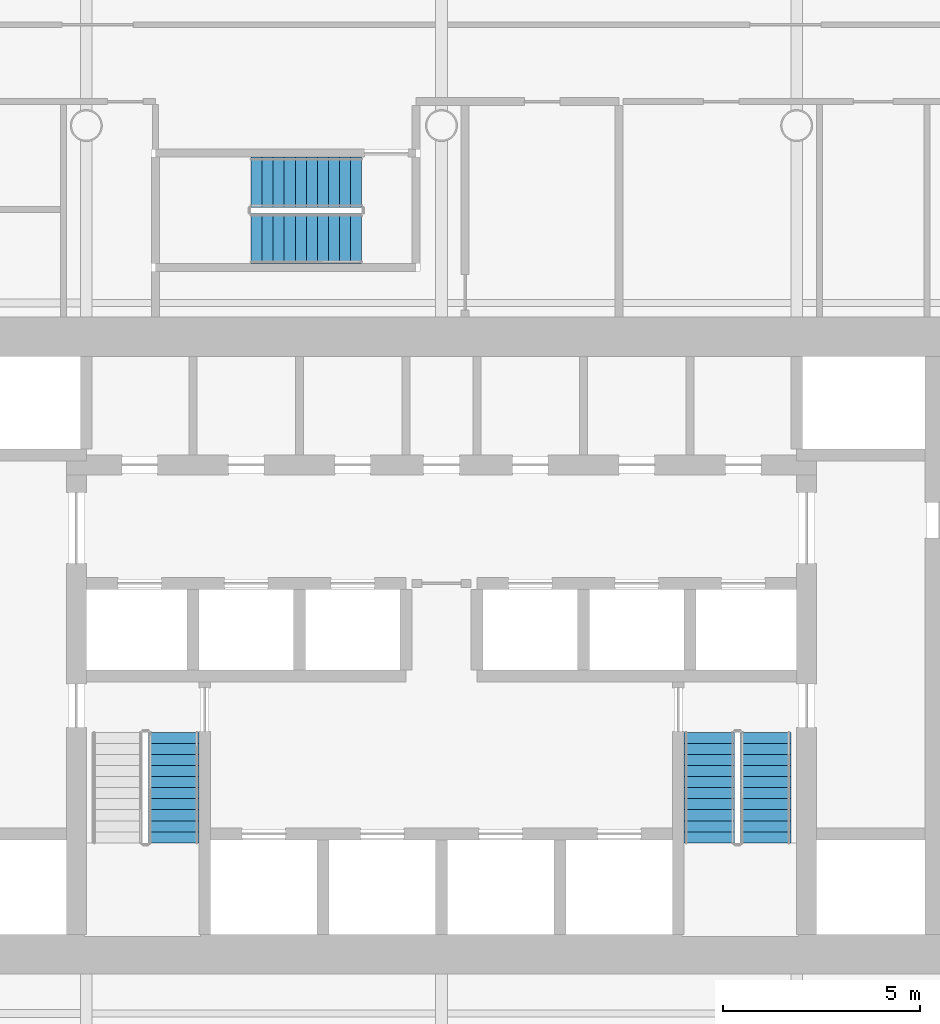
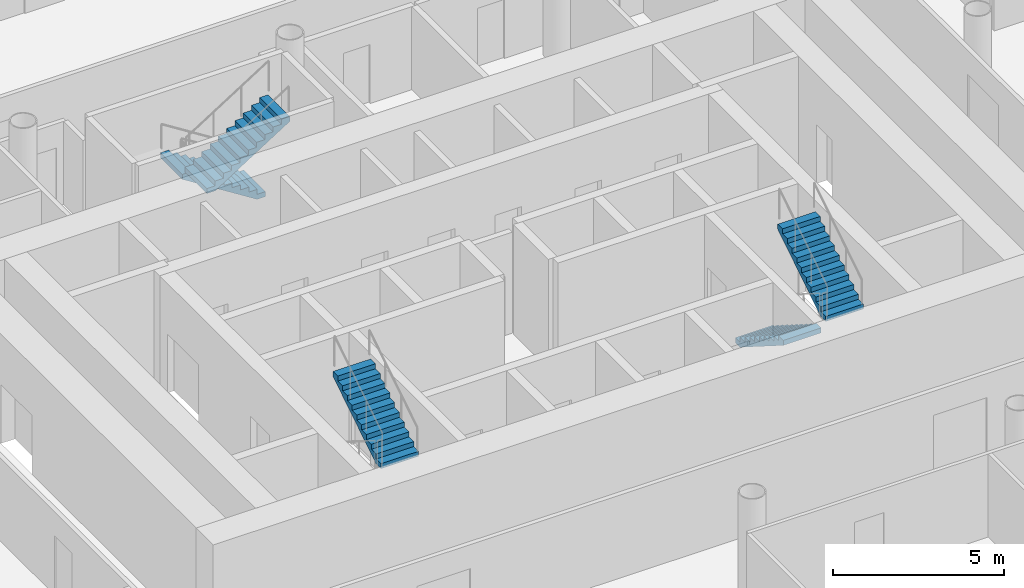
# One storey, part 15 of 20: 5 stair flights, 3 elements without a shape of their own.
"""IFC4 building model written with IfcOpenShell, lengths in metres."""

from ifc_helpers import new_model, si_unit, direction, frame, origin, place, context, subcontext, project, spatial, polyline, outline, extrude, material, type_object, element, aggregate, save


model = new_model("IFC4")

# Units and contexts
model_context = context("Model", 3, precision=1e-05, world=origin(), true_north=direction((0.0, 1.0)))
body_context = subcontext(model_context, "Body", "Model", "MODEL_VIEW")
ifc_project = project(units=[si_unit("LENGTHUNIT", "METRE"), si_unit("AREAUNIT", "SQUARE_METRE"), si_unit("VOLUMEUNIT", "CUBIC_METRE"), si_unit("PLANEANGLEUNIT", "RADIAN"), si_unit("MASSUNIT", "GRAM", prefix="KILO")], contexts=[model_context])

# Site, building, storey
site_placement = place(None, origin())
site = spatial("IfcSite", under=ifc_project, at=site_placement, CompositionType="ELEMENT")
building_placement = place(site_placement, origin())
building = spatial("IfcBuilding", under=site, at=building_placement, Name="Tskaro Facet Tower", CompositionType="ELEMENT")
storey_placement = place(building_placement, frame((0.0, 0.0, 66.0)))
storey = spatial("IfcBuildingStorey", under=building, at=storey_placement, Name="L15", CompositionType="ELEMENT", Elevation=66.0)

# Stair, stair flight
ifc_material = material(Name="Concrete C40/50", Category="concrete")
stair_type = type_object("IfcStairType", Name="ST-TWR", PredefinedType="HALF_TURN_STAIR", material=ifc_material)
stair_1_placement = place(storey_placement, origin())
stair_1 = element("IfcStair", 1, at=stair_1_placement, inside=storey, type_object=stair_type, Name="L15 Exit stair 1", PredefinedType="HALF_TURN_STAIR")
stair_flight_type = type_object("IfcStairFlightType", Name="SFL-RC", PredefinedType="STRAIGHT", material=ifc_material)
stair_flight_1_placement = place(storey_placement, frame((-6.78759765625, -9.175048828125, 1.949951171875), z_axis=(0.0, 0.0, 1.0), x_axis=(0.0, 1.0, 0.0)))
stair_flight_1 = element("IfcStairFlight", 2, at=stair_flight_1_placement, type_object=stair_flight_type, Name="ST-1 flight 2", NumberOfRisers=11, NumberOfTreads=10, PredefinedType="STRAIGHT", RiserHeight=0.177272727, TreadLength=0.28, context=body_context, shape_type="SweptSolid", body=[
    extrude(outline(polyline([(0.0, 0.0), (0.0, 0.17724609375), (0.280029296875, 0.17724609375), (0.280029296875, 0.3544921875), (0.56005859375, 0.3544921875), (0.56005859375, 0.53173828125), (0.840087890625, 0.53173828125), (0.840087890625, 0.708984375), (1.1201171875, 0.708984375), (1.1201171875, 0.886474609375), (1.39990234375, 0.886474609375), (1.39990234375, 1.063720703125), (1.679931640625, 1.063720703125), (1.679931640625, 1.240966796875), (1.9599609375, 1.240966796875), (1.9599609375, 1.418212890625), (2.239990234375, 1.418212890625), (2.239990234375, 1.595458984375), (2.52001953125, 1.595458984375), (2.52001953125, 1.772705078125), (2.800048828125, 1.772705078125), (2.800048828125, 1.949951171875), (2.800048828125, 1.59521484375), (0.2802734375, 0.0), (0.0, 0.0)])), frame((0.0, 0.637451171875, 0.0), z_axis=(0.0, -1.0, 0.0), x_axis=(1.0, 0.0, 0.0)), (0.0, 0.0, 1.0), 1.27490234375),
])
aggregate(stair_1, [stair_flight_1])

# Stair, stair flights
stair_2_placement = place(storey_placement, origin())
stair_2 = element("IfcStair", 3, at=stair_2_placement, inside=storey, type_object=stair_type, Name="L15 Exit stair 2", PredefinedType="HALF_TURN_STAIR")
stair_flight_2_placement = place(storey_placement, frame((6.78759765625, -6.375, 0.0), z_axis=(0.0, 0.0, 1.0), x_axis=(0.0, -1.0, 0.0)))
stair_flight_2 = element("IfcStairFlight", 4, at=stair_flight_2_placement, type_object=stair_flight_type, Name="ST-2 flight 1", NumberOfRisers=11, NumberOfTreads=10, PredefinedType="STRAIGHT", RiserHeight=0.177272727, TreadLength=0.28, context=body_context, shape_type="SweptSolid", body=[
    extrude(outline(polyline([(0.0, 0.0), (0.0, 0.17724609375), (0.280029296875, 0.17724609375), (0.280029296875, 0.3544921875), (0.56005859375, 0.3544921875), (0.56005859375, 0.53173828125), (0.840087890625, 0.53173828125), (0.840087890625, 0.708984375), (1.1201171875, 0.708984375), (1.1201171875, 0.886474609375), (1.39990234375, 0.886474609375), (1.39990234375, 1.063720703125), (1.679931640625, 1.063720703125), (1.679931640625, 1.240966796875), (1.9599609375, 1.240966796875), (1.9599609375, 1.418212890625), (2.239990234375, 1.418212890625), (2.239990234375, 1.595458984375), (2.52001953125, 1.595458984375), (2.52001953125, 1.772705078125), (2.800048828125, 1.772705078125), (2.800048828125, 1.949951171875), (2.800048828125, 1.59521484375), (0.2802734375, 0.0), (0.0, 0.0)])), frame((0.0, 0.637451171875, 0.0), z_axis=(0.0, -1.0, 0.0), x_axis=(1.0, 0.0, 0.0)), (0.0, 0.0, 1.0), 1.27490234375),
])
stair_flight_3_placement = place(storey_placement, frame((8.21240234375, -9.175048828125, 1.949951171875), z_axis=(0.0, 0.0, 1.0), x_axis=(0.0, 1.0, 0.0)))
stair_flight_3 = element("IfcStairFlight", 5, at=stair_flight_3_placement, type_object=stair_flight_type, Name="ST-2 flight 2", NumberOfRisers=11, NumberOfTreads=10, PredefinedType="STRAIGHT", RiserHeight=0.177272727, TreadLength=0.28, context=body_context, shape_type="SweptSolid", body=[
    extrude(outline(polyline([(0.0, 0.0), (0.0, 0.17724609375), (0.280029296875, 0.17724609375), (0.280029296875, 0.3544921875), (0.56005859375, 0.3544921875), (0.56005859375, 0.53173828125), (0.840087890625, 0.53173828125), (0.840087890625, 0.708984375), (1.1201171875, 0.708984375), (1.1201171875, 0.886474609375), (1.39990234375, 0.886474609375), (1.39990234375, 1.063720703125), (1.679931640625, 1.063720703125), (1.679931640625, 1.240966796875), (1.9599609375, 1.240966796875), (1.9599609375, 1.418212890625), (2.239990234375, 1.418212890625), (2.239990234375, 1.595458984375), (2.52001953125, 1.595458984375), (2.52001953125, 1.772705078125), (2.800048828125, 1.772705078125), (2.800048828125, 1.949951171875), (2.800048828125, 1.59521484375), (0.2802734375, 0.0), (0.0, 0.0)])), frame((0.0, 0.637451171875, 0.0), z_axis=(0.0, -1.0, 0.0), x_axis=(1.0, 0.0, 0.0)), (0.0, 0.0, 1.0), 1.27490234375),
])
aggregate(stair_2, [stair_flight_2, stair_flight_3])

stair_3_placement = place(storey_placement, origin())
stair_3 = element("IfcStair", 6, at=stair_3_placement, inside=storey, type_object=stair_type, Name="L15 Exit stair 3", PredefinedType="HALF_TURN_STAIR")
stair_flight_4_placement = place(storey_placement, frame((-2.02490234375, 7.5625, 0.0), z_axis=(0.0, 0.0, 1.0), x_axis=(-1.0, 0.0, 0.0)))
stair_flight_4 = element("IfcStairFlight", 7, at=stair_flight_4_placement, type_object=stair_flight_type, Name="ST-3 flight 1", NumberOfRisers=11, NumberOfTreads=10, PredefinedType="STRAIGHT", RiserHeight=0.177272727, TreadLength=0.28, context=body_context, shape_type="SweptSolid", body=[
    extrude(outline(polyline([(0.0, 0.0), (0.0, 0.17724609375), (0.280029296875, 0.17724609375), (0.280029296875, 0.3544921875), (0.56005859375, 0.3544921875), (0.56005859375, 0.53173828125), (0.840087890625, 0.53173828125), (0.840087890625, 0.708984375), (1.1201171875, 0.708984375), (1.1201171875, 0.886474609375), (1.39990234375, 0.886474609375), (1.39990234375, 1.063720703125), (1.679931640625, 1.063720703125), (1.679931640625, 1.240966796875), (1.9599609375, 1.240966796875), (1.9599609375, 1.418212890625), (2.239990234375, 1.418212890625), (2.239990234375, 1.595458984375), (2.52001953125, 1.595458984375), (2.52001953125, 1.772705078125), (2.800048828125, 1.772705078125), (2.800048828125, 1.949951171875), (2.800048828125, 1.59521484375), (0.2802734375, 0.0), (0.0, 0.0)])), frame((0.0, 0.637451171875, 0.0), z_axis=(0.0, -1.0, 0.0), x_axis=(1.0, 0.0, 0.0)), (0.0, 0.0, 1.0), 1.27490234375),
])
stair_flight_5_placement = place(storey_placement, frame((-4.824951171875, 6.137451171875, 1.949951171875), z_axis=(0.0, 0.0, 1.0), x_axis=(1.0, 0.0, 0.0)))
stair_flight_5 = element("IfcStairFlight", 8, at=stair_flight_5_placement, type_object=stair_flight_type, Name="ST-3 flight 2", NumberOfRisers=11, NumberOfTreads=10, PredefinedType="STRAIGHT", RiserHeight=0.177272727, TreadLength=0.28, context=body_context, shape_type="SweptSolid", body=[
    extrude(outline(polyline([(0.0, 0.0), (0.0, 0.17724609375), (0.280029296875, 0.17724609375), (0.280029296875, 0.3544921875), (0.56005859375, 0.3544921875), (0.56005859375, 0.53173828125), (0.840087890625, 0.53173828125), (0.840087890625, 0.708984375), (1.1201171875, 0.708984375), (1.1201171875, 0.886474609375), (1.39990234375, 0.886474609375), (1.39990234375, 1.063720703125), (1.679931640625, 1.063720703125), (1.679931640625, 1.240966796875), (1.9599609375, 1.240966796875), (1.9599609375, 1.418212890625), (2.239990234375, 1.418212890625), (2.239990234375, 1.595458984375), (2.52001953125, 1.595458984375), (2.52001953125, 1.772705078125), (2.800048828125, 1.772705078125), (2.800048828125, 1.949951171875), (2.800048828125, 1.59521484375), (0.2802734375, 0.0), (0.0, 0.0)])), frame((0.0, 0.637451171875, 0.0), z_axis=(0.0, -1.0, 0.0), x_axis=(1.0, 0.0, 0.0)), (0.0, 0.0, 1.0), 1.27490234375),
])
aggregate(stair_3, [stair_flight_4, stair_flight_5])

save(model, "model.ifc")
